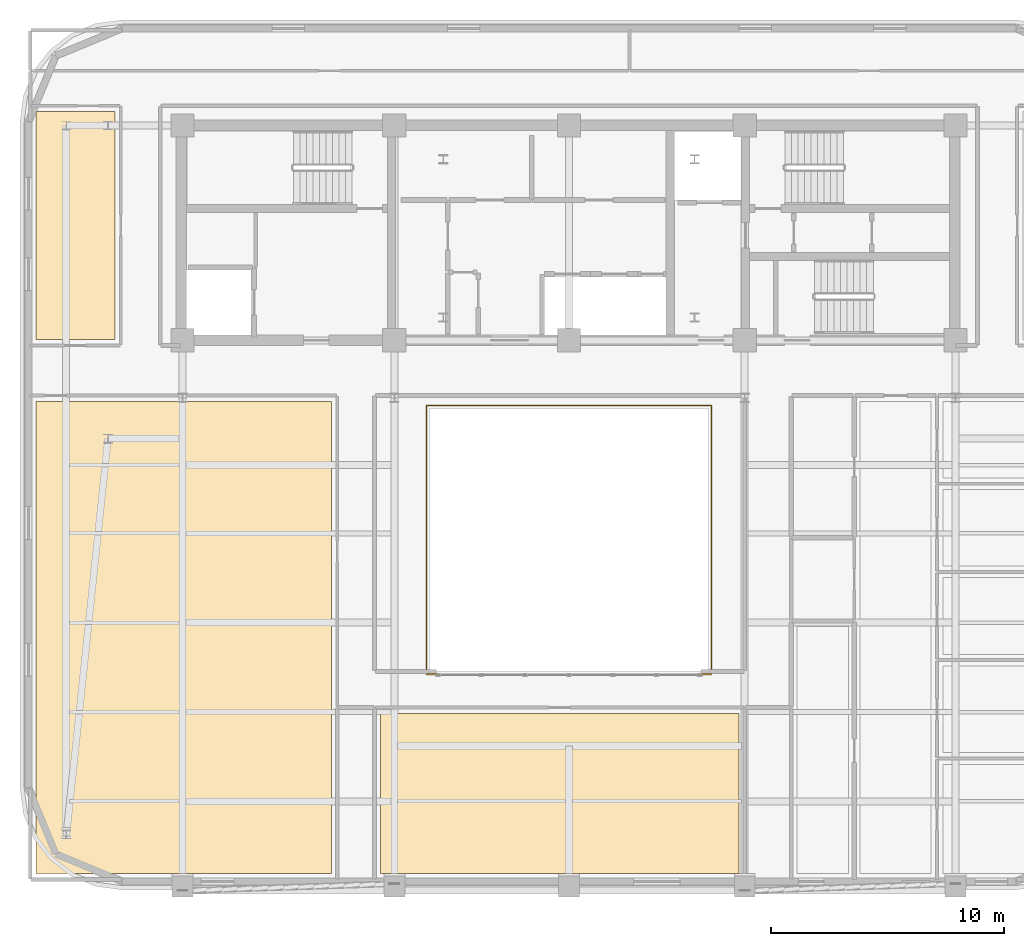
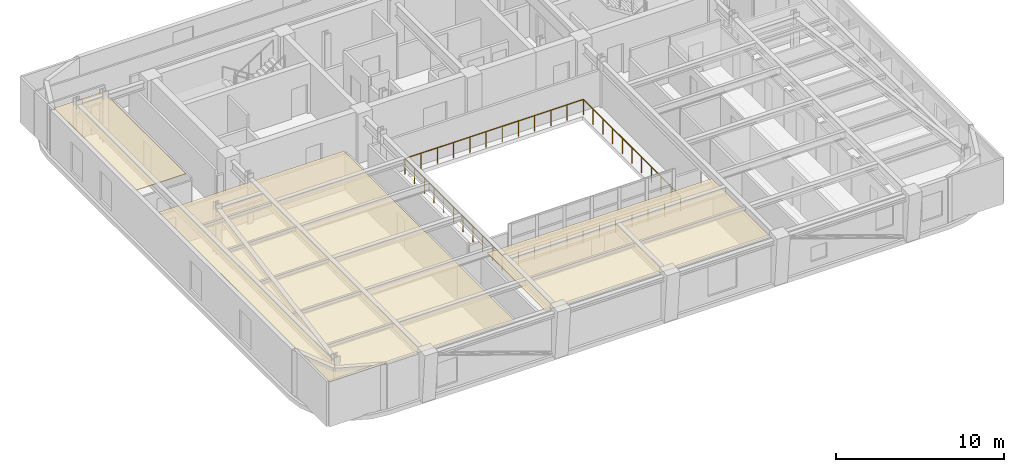
# One storey, part 10 of 13: 3 coverings, 1 railing.
"""IFC4 building model written with IfcOpenShell, lengths in metres."""

import ifcopenshell
import ifcopenshell.guid

model = None  # the IFC model being written
_history = None  # IfcOwnerHistory: only IFC2X3 demands one
_inside = {}  # id of a spatial element -> (the spatial element, [elements in it])
_under = {}  # id of a project, library or spatial element -> (it, [spatial elements below it])
_declared = {}  # id of a project -> (the project, [libraries it declares])
_typed = {}  # id of a type object -> (the type object, [elements of that type])
_made_of = {}  # id of a material, layer set ... -> (it, [elements and type objects made of it])


def new_model(schema):
    """Start an empty IFC model of exactly this schema.

    Asked for "IFC4X3", IfcOpenShell would pick the latest addendum, in which some entities
    have other attributes; the version numbers below select the first issue.
    IFC2X3 requires an IfcOwnerHistory on every rooted entity: one is made here for all.
    """
    global model, _history
    if schema == "IFC4X3":
        model = ifcopenshell.file(schema_version=(4, 3, 0, 0))
    else:
        model = ifcopenshell.file(schema=schema)
    _inside.clear()
    _under.clear()
    _declared.clear()
    _typed.clear()
    _made_of.clear()
    _history = None
    if model.schema == "IFC2X3":
        org = make("IfcOrganization", Name="unknown")
        user = make(
            "IfcPersonAndOrganization",
            ThePerson=make("IfcPerson", FamilyName="unknown"),
            TheOrganization=org,
        )
        app = make(
            "IfcApplication",
            ApplicationDeveloper=org,
            Version="unknown",
            ApplicationFullName="unknown",
            ApplicationIdentifier="unknown",
        )
        _history = make(
            "IfcOwnerHistory",
            OwningUser=user,
            OwningApplication=app,
            ChangeAction="ADDED",
            CreationDate=0,
        )
    return model


def make(cls, **values):
    """One entity of the class cls with the attributes given. An attribute that is None is left unset."""
    return model.create_entity(
        cls, **{name: value for name, value in values.items() if value is not None}
    )


def rooted(cls, **values):
    """An entity with a GlobalId (a new one), such as an element, a storey or a relation."""
    return make(cls, GlobalId=ifcopenshell.guid.new(), OwnerHistory=_history, **values)


def si_unit(unit_type, name, prefix=None):
    """IfcSIUnit, for example si_unit("LENGTHUNIT", "METRE", prefix="MILLI")."""
    return make("IfcSIUnit", UnitType=unit_type, Prefix=prefix, Name=name)


def assignment(units):
    """IfcUnitAssignment: the units of a project."""
    return None if units is None else make("IfcUnitAssignment", Units=units)


def point(xyz):
    """IfcCartesianPoint."""
    return None if xyz is None else make("IfcCartesianPoint", Coordinates=xyz)


def direction(xyz):
    """IfcDirection."""
    return None if xyz is None else make("IfcDirection", DirectionRatios=xyz)


def frame(location, z_axis=None, x_axis=None):
    """IfcAxis2Placement3D, a coordinate frame: its origin and axes. An axis left out is left unset."""
    return make(
        "IfcAxis2Placement3D",
        Location=point(location),
        Axis=direction(z_axis),
        RefDirection=direction(x_axis),
    )


def frame_2d(location, x_axis=None):
    """IfcAxis2Placement2D, a coordinate frame in the plane: its origin and x axis."""
    return make(
        "IfcAxis2Placement2D", Location=point(location), RefDirection=direction(x_axis)
    )


def origin():
    """The frame at (0, 0, 0) with its axes left unset."""
    return frame((0.0, 0.0, 0.0))


def origin_2d():
    """The frame at (0, 0) in the plane with its x axis left unset."""
    return frame_2d((0.0, 0.0))


def place(relative_to, where):
    """IfcLocalPlacement: puts the frame where relative to a parent placement (None: the world)."""
    return make(
        "IfcLocalPlacement", PlacementRelTo=relative_to, RelativePlacement=where
    )


def context(
    kind, dimensions, precision=None, world=None, true_north=None, identifier=None
):
    """IfcGeometricRepresentationContext, for example the 3D "Model" context."""
    return make(
        "IfcGeometricRepresentationContext",
        ContextIdentifier=identifier,
        ContextType=kind,
        CoordinateSpaceDimension=dimensions,
        Precision=precision,
        WorldCoordinateSystem=world,
        TrueNorth=true_north,
    )


def subcontext(parent, identifier, kind, view, scale=None):
    """IfcGeometricRepresentationSubContext, for example "Body" below "Model"."""
    return make(
        "IfcGeometricRepresentationSubContext",
        ContextIdentifier=identifier,
        ContextType=kind,
        ParentContext=parent,
        TargetScale=scale,
        TargetView=view,
    )


def project(units=None, contexts=None):
    """IfcProject with its units and contexts."""
    return rooted(
        "IfcProject",
        Name="project",
        RepresentationContexts=contexts,
        UnitsInContext=assignment(units),
    )


def spatial(cls, under=None, at=None, **own):
    """A site, building, storey or space (cls), placed at a placement, below another one or the project."""
    s = rooted(cls, ObjectPlacement=at, **own)
    if under is not None:
        _under.setdefault(under.id(), (under, []))[1].append(s)
    return s


def polyline(points):
    """IfcPolyline through the points."""
    return make("IfcPolyline", Points=[point(p) for p in points])


def profile(cls, at=None, kind="AREA", **sizes):
    """A parametric profile (cls). Its sizes go by their IFC names, for example OverallWidth=200.0."""
    return make(cls, ProfileType=kind, Position=at, **sizes)


def rectangle(**sizes):
    """IfcRectangleProfileDef."""
    return profile("IfcRectangleProfileDef", **sizes)


def outline(outer, holes=None, kind="AREA"):
    """IfcArbitraryClosedProfileDef: a profile drawn as a closed curve; with holes, ...WithVoids."""
    if holes is None:
        return make("IfcArbitraryClosedProfileDef", ProfileType=kind, OuterCurve=outer)
    return make(
        "IfcArbitraryProfileDefWithVoids",
        ProfileType=kind,
        OuterCurve=outer,
        InnerCurves=holes,
    )


def extrude(swept, where, along, depth):
    """IfcExtrudedAreaSolid: the profile swept, set in the frame where, extruded along a direction by depth."""
    return make(
        "IfcExtrudedAreaSolid",
        SweptArea=swept,
        Position=where,
        ExtrudedDirection=direction(along),
        Depth=depth,
    )


def shape(context_of_items, identifier, shape_type, items):
    """IfcShapeRepresentation: the items that make up one representation, for example the "Body"."""
    return make(
        "IfcShapeRepresentation",
        ContextOfItems=context_of_items,
        RepresentationIdentifier=identifier,
        RepresentationType=shape_type,
        Items=items,
    )


def material(Name=None, Category=None):
    """IfcMaterial."""
    return make("IfcMaterial", Name=Name, Category=Category)


def layer(
    of_material, thickness, ventilated=None, Name=None, Category=None, Priority=None
):
    """IfcMaterialLayer: one layer of a wall or slab, of a material (None: an air gap)."""
    return make(
        "IfcMaterialLayer",
        Material=of_material,
        LayerThickness=thickness,
        IsVentilated=ventilated,
        Name=Name,
        Category=Category,
        Priority=Priority,
    )


def layer_set(layers, Name=None):
    """IfcMaterialLayerSet."""
    return make("IfcMaterialLayerSet", MaterialLayers=layers, LayerSetName=Name)


def made_of(thing, what):
    """Note that an element or type object is made of a material, layer set ...; save() writes the relation."""
    if what is not None:
        _made_of.setdefault(what.id(), (what, []))[1].append(thing)
    return thing


def type_object(cls, material=None, **own):
    """A type object (cls), such as IfcWallType, which elements share."""
    return made_of(rooted(cls, **own), material)


def element(
    cls,
    number,
    at=None,
    inside=None,
    cuts=None,
    type_object=None,
    material=None,
    context=None,
    identifier="Body",
    shape_type=None,
    held_by="IfcProductDefinitionShape",
    body=None,
    shapes=None,
    **own,
):
    """One element of the class cls, such as IfcWall. Its Tag is "e" and its number.

    at: its placement. inside: the storey or other place that contains it. cuts: it is an
    opening in that element (IfcRelVoidsElement). A single representation is given by context,
    identifier, shape_type and body (its items); several are given by shapes. held_by: the class
    of the entity that holds the representations. save() writes the other relations.
    """
    e = rooted(cls, Tag="e%d" % number, ObjectPlacement=at, **own)
    if body is not None:
        shapes = [shape(context, identifier, shape_type, body)]
    if shapes is not None:
        e.Representation = make(held_by, Representations=shapes)
    if inside is not None:
        _inside.setdefault(inside.id(), (inside, []))[1].append(e)
    if cuts is not None:
        rooted(
            "IfcRelVoidsElement", RelatingBuildingElement=cuts, RelatedOpeningElement=e
        )
    if type_object is not None:
        _typed.setdefault(type_object.id(), (type_object, []))[1].append(e)
    return made_of(e, material)


def aggregate(whole, parts):
    """IfcRelAggregates: a whole, such as a stair, and the parts it consists of."""
    return rooted("IfcRelAggregates", RelatingObject=whole, RelatedObjects=parts)


def save(model, path):
    """Write the relations noted so far, then the file.

    IfcRelAggregates (storeys below a building ...), IfcRelContainedInSpatialStructure (elements
    in a storey), IfcRelDefinesByType, IfcRelAssociatesMaterial and IfcRelDeclares: one each for
    every whole, place, type object, material and project.
    """
    for whole, parts in _under.values():
        aggregate(whole, parts)
    for where, things in _inside.values():
        rooted(
            "IfcRelContainedInSpatialStructure",
            RelatedElements=things,
            RelatingStructure=where,
        )
    for kind, things in _typed.values():
        rooted("IfcRelDefinesByType", RelatedObjects=things, RelatingType=kind)
    for what, things in _made_of.values():
        rooted("IfcRelAssociatesMaterial", RelatedObjects=things, RelatingMaterial=what)
    for by, libraries in _declared.values():
        rooted("IfcRelDeclares", RelatingContext=by, RelatedDefinitions=libraries)
    model.write(path)


model = new_model("IFC4")

# Units and contexts
model_context = context("Model", 3, precision=1e-05, world=origin(), true_north=direction((0.0, 1.0)))
body_context = subcontext(model_context, "Body", "Model", "MODEL_VIEW")
ifc_project = project(units=[si_unit("LENGTHUNIT", "METRE"), si_unit("AREAUNIT", "SQUARE_METRE"), si_unit("VOLUMEUNIT", "CUBIC_METRE"), si_unit("PLANEANGLEUNIT", "RADIAN"), si_unit("MASSUNIT", "GRAM", prefix="KILO")], contexts=[model_context])

# Site, building, storey
site_placement = place(None, origin())
site = spatial("IfcSite", under=ifc_project, at=site_placement, CompositionType="ELEMENT")
building_placement = place(site_placement, origin())
building = spatial("IfcBuilding", under=site, at=building_placement, Name="Zarnavel Station Tower", CompositionType="ELEMENT")
storey_placement = place(building_placement, frame((0.0, 0.0, 240.0)))
storey = spatial("IfcBuildingStorey", under=building, at=storey_placement, Name="L65", CompositionType="ELEMENT", Elevation=240.0)

# Coverings
ifc_material_1 = material(Name="Perforated Gypsum and Mineral-Wool Acoustic Ceiling", Category="concrete")
ifc_layer = layer(ifc_material_1, 0.0400390625)
ifc_layer_set = layer_set([ifc_layer], Name="COV_CEIL_ACOUSTIC")
covering_type = type_object("IfcCoveringType", Name="COV_CEIL_ACOUSTIC", PredefinedType="CEILING", material=ifc_layer_set)
covering_1_placement = place(storey_placement, frame((0.0, 0.0, 2.9599609375)))
element("IfcCovering", 1, at=covering_1_placement, inside=storey, type_object=covering_type, Name="L65 FNW Acoustic Ceiling", PredefinedType="CEILING", context=body_context, shape_type="SweptSolid", body=[
    extrude(outline(polyline([(5.909912109375, 27.85009765625), (9.300048828125, 27.85009765625), (9.300048828125, 37.64990234375), (5.909912109375, 37.64990234375), (5.909912109375, 27.85009765625)])), origin(), (0.0, 0.0, 1.0), 0.0400390625),
])
covering_2_placement = place(storey_placement, frame((0.0, 0.0, 2.9599609375)))
element("IfcCovering", 2, at=covering_2_placement, inside=storey, type_object=covering_type, Name="L65 L64ART Acoustic Ceiling", PredefinedType="CEILING", context=body_context, shape_type="SweptSolid", body=[
    extrude(outline(polyline([(5.909912109375, 4.909912109375), (18.60009765625, 4.909912109375), (18.60009765625, 25.199951171875), (5.909912109375, 25.199951171875), (5.909912109375, 4.909912109375)])), origin(), (0.0, 0.0, 1.0), 0.0400390625),
])
covering_3_placement = place(storey_placement, frame((0.0, 0.0, 2.9599609375)))
element("IfcCovering", 3, at=covering_3_placement, inside=storey, type_object=covering_type, Name="L65 L64CON Acoustic Ceiling", PredefinedType="CEILING", context=body_context, shape_type="SweptSolid", body=[
    extrude(outline(polyline([(20.699951171875, 4.909912109375), (36.10009765625, 4.909912109375), (36.10009765625, 11.800048828125), (20.699951171875, 11.800048828125), (20.699951171875, 4.909912109375)])), origin(), (0.0, 0.0, 1.0), 0.0400390625),
])

# Railing
ifc_material_2 = material(Name="Painted Steel S355J2 Balustrade", Category="steel")
railing_type = type_object("IfcRailingType", Name="GR_INT_1150", PredefinedType="GUARDRAIL", material=ifc_material_2)
railing_placement = place(storey_placement, frame((22.679931640625, 13.47998046875, 0.0)))
element("IfcRailing", 4, at=railing_placement, inside=storey, type_object=railing_type, Name="L65 Atrium Void Guardrail", PredefinedType="GUARDRAIL", context=body_context, shape_type="SweptSolid", body=[
    extrude(rectangle(XDim=0.048095703125, YDim=0.048095703125, at=origin_2d()), frame((0.001953125, 0.0, 1.1259765625), z_axis=(1.0, 0.0, 0.0), x_axis=(0.0, 1.0, 0.0)), (0.0, 0.0, 1.0), 12.236083984375),
    extrude(rectangle(XDim=0.048095703125, YDim=0.048095703125, at=origin_2d()), frame((12.239990234375, 0.001953125, 1.1259765625), z_axis=(0.0, 1.0, 0.0), x_axis=(-1.0, 0.0, 0.0)), (0.0, 0.0, 1.0), 11.5361328125),
    extrude(rectangle(XDim=0.048095703125, YDim=0.048095703125, at=origin_2d()), frame((12.238037109375, 11.5400390625, 1.1259765625), z_axis=(-1.0, 0.0, 0.0), x_axis=(0.0, -1.0, 0.0)), (0.0, 0.0, 1.0), 12.236083984375),
    extrude(rectangle(XDim=0.048095703125, YDim=0.048095703125, at=origin_2d()), frame((0.0, 11.5380859375, 1.1259765625), z_axis=(0.0, -1.0, 0.0), x_axis=(1.0, 0.0, 0.0)), (0.0, 0.0, 1.0), 11.5361328125),
    extrude(rectangle(XDim=0.0419921875, YDim=0.0419921875, at=origin_2d()), origin(), (0.0, 0.0, 1.0), 1.101806640625),
    extrude(rectangle(XDim=0.0419921875, YDim=0.0419921875, at=origin_2d()), frame((1.11279296875, 0.0, 0.0)), (0.0, 0.0, 1.0), 1.101806640625),
    extrude(rectangle(XDim=0.0419921875, YDim=0.0419921875, at=origin_2d()), frame((2.225341796875, 0.0, 0.0)), (0.0, 0.0, 1.0), 1.101806640625),
    extrude(rectangle(XDim=0.0419921875, YDim=0.0419921875, at=origin_2d()), frame((3.338134765625, 0.0, 0.0)), (0.0, 0.0, 1.0), 1.101806640625),
    extrude(rectangle(XDim=0.0419921875, YDim=0.0419921875, at=origin_2d()), frame((4.450927734375, 0.0, 0.0)), (0.0, 0.0, 1.0), 1.101806640625),
    extrude(rectangle(XDim=0.0419921875, YDim=0.0419921875, at=origin_2d()), frame((5.563720703125, 0.0, 0.0)), (0.0, 0.0, 1.0), 1.101806640625),
    extrude(rectangle(XDim=0.0419921875, YDim=0.0419921875, at=origin_2d()), frame((6.67626953125, 0.0, 0.0)), (0.0, 0.0, 1.0), 1.101806640625),
    extrude(rectangle(XDim=0.0419921875, YDim=0.0419921875, at=origin_2d()), frame((7.7890625, 0.0, 0.0)), (0.0, 0.0, 1.0), 1.101806640625),
    extrude(rectangle(XDim=0.0419921875, YDim=0.0419921875, at=origin_2d()), frame((8.90185546875, 0.0, 0.0)), (0.0, 0.0, 1.0), 1.101806640625),
    extrude(rectangle(XDim=0.0419921875, YDim=0.0419921875, at=origin_2d()), frame((10.0146484375, 0.0, 0.0)), (0.0, 0.0, 1.0), 1.101806640625),
    extrude(rectangle(XDim=0.0419921875, YDim=0.0419921875, at=origin_2d()), frame((11.127197265625, 0.0, 0.0)), (0.0, 0.0, 1.0), 1.101806640625),
    extrude(rectangle(XDim=0.0419921875, YDim=0.0419921875, at=origin_2d()), frame((12.239990234375, 0.0, 0.0)), (0.0, 0.0, 1.0), 1.101806640625),
    extrude(rectangle(XDim=0.0419921875, YDim=0.0419921875, at=origin_2d()), frame((12.239990234375, 1.154052734375, 0.0)), (0.0, 0.0, 1.0), 1.101806640625),
    extrude(rectangle(XDim=0.0419921875, YDim=0.0419921875, at=origin_2d()), frame((12.239990234375, 2.30810546875, 0.0)), (0.0, 0.0, 1.0), 1.101806640625),
    extrude(rectangle(XDim=0.0419921875, YDim=0.0419921875, at=origin_2d()), frame((12.239990234375, 3.4619140625, 0.0)), (0.0, 0.0, 1.0), 1.101806640625),
    extrude(rectangle(XDim=0.0419921875, YDim=0.0419921875, at=origin_2d()), frame((12.239990234375, 4.615966796875, 0.0)), (0.0, 0.0, 1.0), 1.101806640625),
    extrude(rectangle(XDim=0.0419921875, YDim=0.0419921875, at=origin_2d()), frame((12.239990234375, 5.77001953125, 0.0)), (0.0, 0.0, 1.0), 1.101806640625),
    extrude(rectangle(XDim=0.0419921875, YDim=0.0419921875, at=origin_2d()), frame((12.239990234375, 6.924072265625, 0.0)), (0.0, 0.0, 1.0), 1.101806640625),
    extrude(rectangle(XDim=0.0419921875, YDim=0.0419921875, at=origin_2d()), frame((12.239990234375, 8.078125, 0.0)), (0.0, 0.0, 1.0), 1.101806640625),
    extrude(rectangle(XDim=0.0419921875, YDim=0.0419921875, at=origin_2d()), frame((12.239990234375, 9.23193359375, 0.0)), (0.0, 0.0, 1.0), 1.101806640625),
    extrude(rectangle(XDim=0.0419921875, YDim=0.0419921875, at=origin_2d()), frame((12.239990234375, 10.385986328125, 0.0)), (0.0, 0.0, 1.0), 1.101806640625),
    extrude(rectangle(XDim=0.0419921875, YDim=0.0419921875, at=origin_2d()), frame((12.239990234375, 11.5400390625, 0.0)), (0.0, 0.0, 1.0), 1.101806640625),
    extrude(rectangle(XDim=0.0419921875, YDim=0.0419921875, at=origin_2d()), frame((11.127197265625, 11.5400390625, 0.0)), (0.0, 0.0, 1.0), 1.101806640625),
    extrude(rectangle(XDim=0.0419921875, YDim=0.0419921875, at=origin_2d()), frame((10.0146484375, 11.5400390625, 0.0)), (0.0, 0.0, 1.0), 1.101806640625),
    extrude(rectangle(XDim=0.0419921875, YDim=0.0419921875, at=origin_2d()), frame((8.90185546875, 11.5400390625, 0.0)), (0.0, 0.0, 1.0), 1.101806640625),
    extrude(rectangle(XDim=0.0419921875, YDim=0.0419921875, at=origin_2d()), frame((7.7890625, 11.5400390625, 0.0)), (0.0, 0.0, 1.0), 1.101806640625),
    extrude(rectangle(XDim=0.0419921875, YDim=0.0419921875, at=origin_2d()), frame((6.67626953125, 11.5400390625, 0.0)), (0.0, 0.0, 1.0), 1.101806640625),
    extrude(rectangle(XDim=0.0419921875, YDim=0.0419921875, at=origin_2d()), frame((5.563720703125, 11.5400390625, 0.0)), (0.0, 0.0, 1.0), 1.101806640625),
    extrude(rectangle(XDim=0.0419921875, YDim=0.0419921875, at=origin_2d()), frame((4.450927734375, 11.5400390625, 0.0)), (0.0, 0.0, 1.0), 1.101806640625),
    extrude(rectangle(XDim=0.0419921875, YDim=0.0419921875, at=origin_2d()), frame((3.338134765625, 11.5400390625, 0.0)), (0.0, 0.0, 1.0), 1.101806640625),
    extrude(rectangle(XDim=0.0419921875, YDim=0.0419921875, at=origin_2d()), frame((2.225341796875, 11.5400390625, 0.0)), (0.0, 0.0, 1.0), 1.101806640625),
    extrude(rectangle(XDim=0.0419921875, YDim=0.0419921875, at=origin_2d()), frame((1.11279296875, 11.5400390625, 0.0)), (0.0, 0.0, 1.0), 1.101806640625),
    extrude(rectangle(XDim=0.0419921875, YDim=0.0419921875, at=origin_2d()), frame((0.0, 11.5400390625, 0.0)), (0.0, 0.0, 1.0), 1.101806640625),
    extrude(rectangle(XDim=0.0419921875, YDim=0.0419921875, at=origin_2d()), frame((0.0, 10.385986328125, 0.0)), (0.0, 0.0, 1.0), 1.101806640625),
    extrude(rectangle(XDim=0.0419921875, YDim=0.0419921875, at=origin_2d()), frame((0.0, 9.23193359375, 0.0)), (0.0, 0.0, 1.0), 1.101806640625),
    extrude(rectangle(XDim=0.0419921875, YDim=0.0419921875, at=origin_2d()), frame((0.0, 8.078125, 0.0)), (0.0, 0.0, 1.0), 1.101806640625),
    extrude(rectangle(XDim=0.0419921875, YDim=0.0419921875, at=origin_2d()), frame((0.0, 6.924072265625, 0.0)), (0.0, 0.0, 1.0), 1.101806640625),
    extrude(rectangle(XDim=0.0419921875, YDim=0.0419921875, at=origin_2d()), frame((0.0, 5.77001953125, 0.0)), (0.0, 0.0, 1.0), 1.101806640625),
    extrude(rectangle(XDim=0.0419921875, YDim=0.0419921875, at=origin_2d()), frame((0.0, 4.615966796875, 0.0)), (0.0, 0.0, 1.0), 1.101806640625),
    extrude(rectangle(XDim=0.0419921875, YDim=0.0419921875, at=origin_2d()), frame((0.0, 3.4619140625, 0.0)), (0.0, 0.0, 1.0), 1.101806640625),
    extrude(rectangle(XDim=0.0419921875, YDim=0.0419921875, at=origin_2d()), frame((0.0, 2.30810546875, 0.0)), (0.0, 0.0, 1.0), 1.101806640625),
    extrude(rectangle(XDim=0.0419921875, YDim=0.0419921875, at=origin_2d()), frame((0.0, 1.154052734375, 0.0)), (0.0, 0.0, 1.0), 1.101806640625),
])

save(model, "model.ifc")
